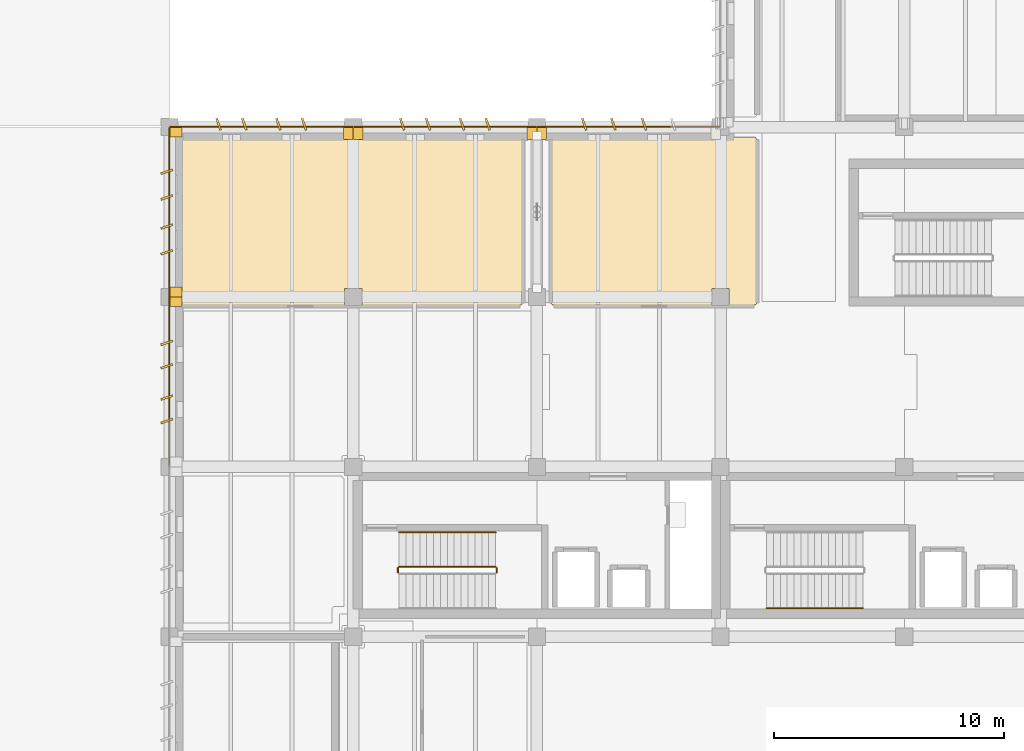
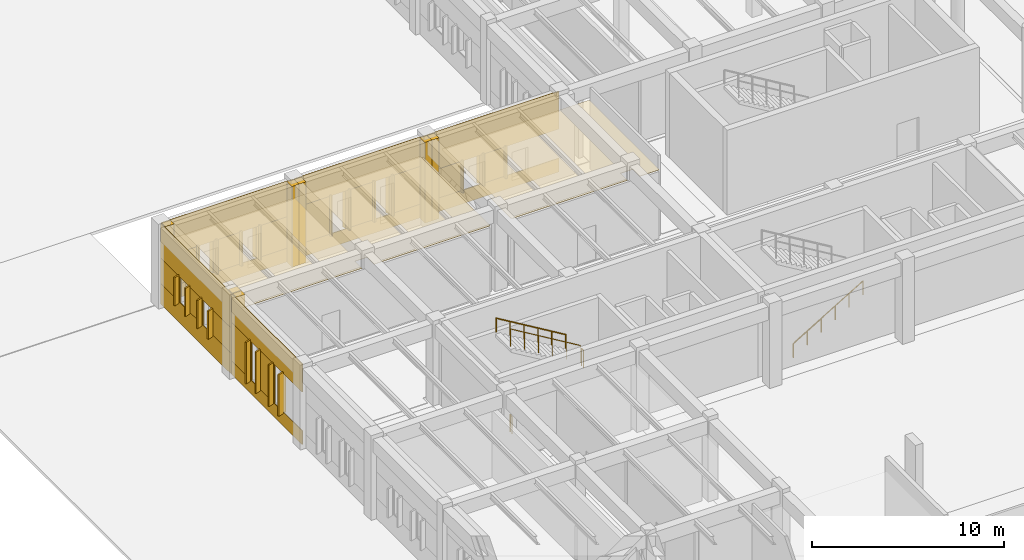
# One storey, part 36 of 56: 51 coverings, 5 railings.
"""IFC4 building model written with IfcOpenShell, lengths in metres."""

from ifc_helpers import new_model, si_unit, direction, frame, frame_2d, origin, origin_2d, place, context, subcontext, project, spatial, polyline, rectangle, circle, outline, extrude, material, layer, layer_set, type_object, element, save


model = new_model("IFC4")

# Units and contexts
model_context = context("Model", 3, precision=1e-05, world=origin(), true_north=direction((0.0, 1.0)))
body_context = subcontext(model_context, "Body", "Model", "MODEL_VIEW")
ifc_project = project(units=[si_unit("LENGTHUNIT", "METRE"), si_unit("AREAUNIT", "SQUARE_METRE"), si_unit("VOLUMEUNIT", "CUBIC_METRE"), si_unit("PLANEANGLEUNIT", "RADIAN"), si_unit("MASSUNIT", "GRAM", prefix="KILO")], contexts=[model_context])

# Site, building, storey
site_placement = place(None, origin())
site = spatial("IfcSite", under=ifc_project, at=site_placement, CompositionType="ELEMENT")
building_placement = place(site_placement, origin())
building = spatial("IfcBuilding", under=site, at=building_placement, Name="Valkorina Park Police Headquarters", CompositionType="ELEMENT")
storey_placement = place(building_placement, origin())
storey = spatial("IfcBuildingStorey", under=building, at=storey_placement, Name="L01", CompositionType="ELEMENT", Elevation=0.0)

# Coverings
ifc_material_1 = material(Name="Acoustic mineral board")
ifc_layer_1 = layer(ifc_material_1, 0.02490234375)
ifc_layer_set_1 = layer_set([ifc_layer_1], Name="Acoustic mineral board")
covering_type_1 = type_object("IfcCoveringType", Name="COV-CEILING-ACOUST", PredefinedType="CEILING", material=ifc_layer_set_1)
covering_1_placement = place(storey_placement, frame((0.0, 0.0, 4.264892578125)))
element("IfcCovering", 1, at=covering_1_placement, inside=storey, type_object=covering_type_1, Name="Watch Commander Duty Suite Acoustic Suspended Ceiling", PredefinedType="CEILING", context=body_context, shape_type="SweptSolid", body=[
    extrude(outline(polyline([(24.158447265625, 51.50439453125), (24.15966796875, 51.51220703125), (24.159912109375, 51.52001953125), (24.159912109375, 58.679931640625), (24.15966796875, 58.687744140625), (24.158447265625, 58.695556640625), (24.156494140625, 58.703125), (24.15380859375, 58.710693359375), (24.150634765625, 58.7177734375), (24.146484375, 58.724365234375), (24.141845703125, 58.730712890625), (24.13671875, 58.736572265625), (24.130859375, 58.74169921875), (24.12451171875, 58.74658203125), (24.11767578125, 58.75048828125), (24.110595703125, 58.75390625), (24.103271484375, 58.756591796875), (24.095703125, 58.758544921875), (24.087890625, 58.759521484375), (24.080078125, 58.760009765625), (9.320068359375, 58.760009765625), (9.312255859375, 58.759521484375), (9.304443359375, 58.758544921875), (9.296875, 58.756591796875), (9.289306640625, 58.75390625), (9.2822265625, 58.75048828125), (9.275634765625, 58.74658203125), (9.269287109375, 58.74169921875), (9.263427734375, 58.736572265625), (9.25830078125, 58.730712890625), (9.25341796875, 58.724365234375), (9.24951171875, 58.7177734375), (9.24609375, 58.710693359375), (9.243408203125, 58.703125), (9.241455078125, 58.695556640625), (9.240478515625, 58.687744140625), (9.239990234375, 58.679931640625), (9.239990234375, 51.52001953125), (9.240478515625, 51.51220703125), (9.241455078125, 51.50439453125), (9.243408203125, 51.496826171875), (9.24609375, 51.489501953125), (9.24951171875, 51.482421875), (9.25341796875, 51.4755859375), (9.25830078125, 51.46923828125), (9.263427734375, 51.46337890625), (9.269287109375, 51.458251953125), (9.275634765625, 51.45361328125), (9.2822265625, 51.449462890625), (9.289306640625, 51.446044921875), (9.296875, 51.443359375), (9.304443359375, 51.44140625), (9.312255859375, 51.4404296875), (9.320068359375, 51.43994140625), (16.385009765625, 51.43994140625), (16.392822265625, 51.4404296875), (16.400634765625, 51.44140625), (16.408203125, 51.443359375), (16.41552734375, 51.446044921875), (16.422607421875, 51.449462890625), (16.425048828125, 51.45068359375), (16.425048828125, 52.175048828125), (17.175048828125, 52.175048828125), (17.175048828125, 51.45068359375), (17.17724609375, 51.449462890625), (17.184326171875, 51.446044921875), (17.19189453125, 51.443359375), (17.199462890625, 51.44140625), (17.207275390625, 51.4404296875), (17.215087890625, 51.43994140625), (24.080078125, 51.43994140625), (24.087890625, 51.4404296875), (24.095703125, 51.44140625), (24.103271484375, 51.443359375), (24.110595703125, 51.446044921875), (24.11767578125, 51.449462890625), (24.12451171875, 51.45361328125), (24.130859375, 51.458251953125), (24.13671875, 51.46337890625), (24.141845703125, 51.46923828125), (24.146484375, 51.4755859375), (24.150634765625, 51.482421875), (24.15380859375, 51.489501953125), (24.156494140625, 51.496826171875), (24.158447265625, 51.50439453125)])), origin(), (0.0, 0.0, 1.0), 0.025146484375),
])
covering_2_placement = place(storey_placement, frame((0.0, 0.0, 4.264892578125)))
element("IfcCovering", 2, at=covering_2_placement, inside=storey, type_object=covering_type_1, Name="Victim and Witness Support Suite Acoustic Suspended Ceiling", PredefinedType="CEILING", context=body_context, shape_type="SweptSolid", body=[
    extrude(outline(polyline([(34.3583984375, 51.50439453125), (34.359619140625, 51.51220703125), (34.360107421875, 51.52001953125), (34.360107421875, 58.679931640625), (34.359619140625, 58.687744140625), (34.3583984375, 58.695556640625), (34.356689453125, 58.703125), (34.35400390625, 58.710693359375), (34.3505859375, 58.7177734375), (34.346435546875, 58.724365234375), (34.341796875, 58.730712890625), (34.336669921875, 58.736572265625), (34.330810546875, 58.74169921875), (34.324462890625, 58.74658203125), (34.317626953125, 58.75048828125), (34.310546875, 58.75390625), (34.30322265625, 58.756591796875), (34.295654296875, 58.758544921875), (34.287841796875, 58.759521484375), (34.280029296875, 58.760009765625), (25.52001953125, 58.760009765625), (25.51220703125, 58.759521484375), (25.50439453125, 58.758544921875), (25.496826171875, 58.756591796875), (25.489501953125, 58.75390625), (25.482421875, 58.75048828125), (25.4755859375, 58.74658203125), (25.46923828125, 58.74169921875), (25.46337890625, 58.736572265625), (25.458251953125, 58.730712890625), (25.45361328125, 58.724365234375), (25.449462890625, 58.7177734375), (25.446044921875, 58.710693359375), (25.443359375, 58.703125), (25.44140625, 58.695556640625), (25.4404296875, 58.687744140625), (25.43994140625, 58.679931640625), (25.43994140625, 51.52001953125), (25.4404296875, 51.51220703125), (25.44140625, 51.50439453125), (25.443359375, 51.496826171875), (25.446044921875, 51.489501953125), (25.449462890625, 51.482421875), (25.45361328125, 51.4755859375), (25.458251953125, 51.46923828125), (25.46337890625, 51.46337890625), (25.46923828125, 51.458251953125), (25.4755859375, 51.45361328125), (25.482421875, 51.449462890625), (25.489501953125, 51.446044921875), (25.496826171875, 51.443359375), (25.50439453125, 51.44140625), (25.51220703125, 51.4404296875), (25.52001953125, 51.43994140625), (32.385009765625, 51.43994140625), (32.392822265625, 51.4404296875), (32.400634765625, 51.44140625), (32.408203125, 51.443359375), (32.41552734375, 51.446044921875), (32.422607421875, 51.449462890625), (32.425048828125, 51.45068359375), (32.425048828125, 52.175048828125), (33.175048828125, 52.175048828125), (33.175048828125, 51.45068359375), (33.17724609375, 51.449462890625), (33.184326171875, 51.446044921875), (33.19189453125, 51.443359375), (33.199462890625, 51.44140625), (33.207275390625, 51.4404296875), (33.215087890625, 51.43994140625), (34.280029296875, 51.43994140625), (34.287841796875, 51.4404296875), (34.295654296875, 51.44140625), (34.30322265625, 51.443359375), (34.310546875, 51.446044921875), (34.317626953125, 51.449462890625), (34.324462890625, 51.45361328125), (34.330810546875, 51.458251953125), (34.336669921875, 51.46337890625), (34.341796875, 51.46923828125), (34.346435546875, 51.4755859375), (34.3505859375, 51.482421875), (34.35400390625, 51.489501953125), (34.356689453125, 51.496826171875), (34.3583984375, 51.50439453125)])), origin(), (0.0, 0.0, 1.0), 0.025146484375),
])
ifc_material_2 = material(Name="Precast concrete C40/50", Category="concrete")
ifc_layer_2 = layer(ifc_material_2, 0.044921875)
ifc_layer_set_2 = layer_set([ifc_layer_2], Name="Precast concrete C40/50")
covering_type_2 = type_object("IfcCoveringType", Name="COV-CLAD-DOLOMITE", PredefinedType="CLADDING", material=ifc_layer_set_2)
covering_3_placement = place(storey_placement, frame((9.090087890625, 51.5849609375, 0.0), z_axis=(0.0, 0.0, 1.0), x_axis=(0.0, 1.0, 0.0)))
element("IfcCovering", 3, at=covering_3_placement, inside=storey, type_object=covering_type_2, Name="L01 Exterior Joint Closure Pilaster B 0067", PredefinedType="CLADDING", context=body_context, shape_type="SweptSolid", body=[
    extrude(rectangle(XDim=0.419921875, YDim=0.52197265625, at=origin_2d()), origin(), (0.0, 0.0, 1.0), 5.139892578125),
])
for number, where, z_axis, x_axis, name in (
    (4, (8.679931640625, 46.396484375, 0.7802734375), (0.0, 0.0, 1.0), (-0.948323655206, -0.317304656405, 0.0), "Slanted 18.5-deg Precast Window Slot Fin 0068"),
    (5, (8.679931640625, 47.41650390625, 0.7802734375), (0.0, 0.0, 1.0), (-0.948323655206, -0.317304656405, 0.0), "Slanted 18.5-deg Precast Window Slot Fin 0069"),
    (6, (8.679931640625, 48.783447265625, 0.7802734375), (0.0, 0.0, 1.0), (-0.948323655206, -0.317304656405, 0.0), "Slanted 18.5-deg Precast Window Slot Fin 0070"),
    (7, (8.679931640625, 49.803466796875, 0.7802734375), (0.0, 0.0, 1.0), (-0.948323655206, -0.317304656405, 0.0), "Slanted 18.5-deg Precast Window Slot Fin 0071"),
):
    element("IfcCovering", number, at=place(storey_placement, frame(where, z_axis=z_axis, x_axis=x_axis)), inside=storey, type_object=covering_type_2, Name=name, PredefinedType="CLADDING", context=body_context, shape_type="SweptSolid", body=[
        extrude(rectangle(XDim=0.5400390625, YDim=0.090087890625, at=origin_2d()), origin(), (0.0, 0.0, 1.0), 2.639892578125),
    ])
covering_4_placement = place(storey_placement, frame((8.784912109375, 44.419921875, 0.0), z_axis=(0.0, 0.0, 1.0), x_axis=(0.0, 1.0, 0.0)))
element("IfcCovering", 8, at=covering_4_placement, inside=storey, type_object=covering_type_2, Name="L01 Calm Concrete Base Sill Spandrel 0072", PredefinedType="CLADDING", context=body_context, shape_type="SweptSolid", body=[
    extrude(rectangle(XDim=7.360107421875, YDim=0.044921875, at=frame_2d((3.68017578125, 0.0))), origin(), (0.0, 0.0, 1.0), 0.8701171875),
])
covering_5_placement = place(storey_placement, frame((8.784912109375, 44.419921875, 3.330078125), z_axis=(0.0, 0.0, 1.0), x_axis=(0.0, 1.0, 0.0)))
element("IfcCovering", 9, at=covering_5_placement, inside=storey, type_object=covering_type_2, Name="L01 Calm Concrete Base Lintel Spandrel 0073", PredefinedType="CLADDING", context=body_context, shape_type="SweptSolid", body=[
    extrude(rectangle(XDim=7.360107421875, YDim=0.044921875, at=frame_2d((3.68017578125, 0.0))), origin(), (0.0, 0.0, 1.0), 1.809814453125),
])
covering_6_placement = place(storey_placement, frame((8.784912109375, 47.306640625, 0.8701171875), z_axis=(0.0, 0.0, 1.0), x_axis=(0.0, 1.0, 0.0)))
element("IfcCovering", 10, at=covering_6_placement, inside=storey, type_object=covering_type_2, Name="L01 Calm Concrete Base Slot Pier 0075", PredefinedType="CLADDING", context=body_context, shape_type="SweptSolid", body=[
    extrude(rectangle(XDim=1.586669921875, YDim=0.044921875, at=frame_2d((0.79345703125, 0.0))), origin(), (0.0, 0.0, 1.0), 2.4599609375),
])
covering_7_placement = place(storey_placement, frame((8.784912109375, 49.693359375, 0.8701171875), z_axis=(0.0, 0.0, 1.0), x_axis=(0.0, 1.0, 0.0)))
element("IfcCovering", 11, at=covering_7_placement, inside=storey, type_object=covering_type_2, Name="L01 Calm Concrete Base Slot Pier 0076", PredefinedType="CLADDING", context=body_context, shape_type="SweptSolid", body=[
    extrude(rectangle(XDim=2.086669921875, YDim=0.044921875, at=frame_2d((1.04345703125, 0.0))), origin(), (0.0, 0.0, 1.0), 2.4599609375),
])
for number, where, z_axis, x_axis, name in (
    (12, (9.090087890625, 52.014892578125, 0.0), (0.0, 0.0, 1.0), (0.0, 1.0, 0.0), "L01 Exterior Joint Closure Pilaster A 0077"),
    (13, (9.090087890625, 58.985107421875, 0.0), (0.0, 0.0, 1.0), (0.0, 1.0, 0.0), "L01 Exterior Joint Closure Pilaster B 0078"),
):
    element("IfcCovering", number, at=place(storey_placement, frame(where, z_axis=z_axis, x_axis=x_axis)), inside=storey, type_object=covering_type_2, Name=name, PredefinedType="CLADDING", context=body_context, shape_type="SweptSolid", body=[
        extrude(rectangle(XDim=0.419921875, YDim=0.52197265625, at=origin_2d()), origin(), (0.0, 0.0, 1.0), 5.139892578125),
    ])
for number, where, z_axis, x_axis, name in (
    (14, (8.679931640625, 53.74658203125, 1.22998046875), (0.0, 0.0, 1.0), (-0.948323655206, -0.317304656405, 0.0), "Slanted 18.5-deg Precast Window Slot Fin 0079"),
    (15, (8.679931640625, 54.86669921875, 1.22998046875), (0.0, 0.0, 1.0), (-0.948323655206, -0.317304656405, 0.0), "Slanted 18.5-deg Precast Window Slot Fin 0080"),
    (16, (8.679931640625, 56.13330078125, 1.22998046875), (0.0, 0.0, 1.0), (-0.948323655206, -0.317304656405, 0.0), "Slanted 18.5-deg Precast Window Slot Fin 0081"),
    (17, (8.679931640625, 57.25341796875, 1.22998046875), (0.0, 0.0, 1.0), (-0.948323655206, -0.317304656405, 0.0), "Slanted 18.5-deg Precast Window Slot Fin 0082"),
):
    element("IfcCovering", number, at=place(storey_placement, frame(where, z_axis=z_axis, x_axis=x_axis)), inside=storey, type_object=covering_type_2, Name=name, PredefinedType="CLADDING", context=body_context, shape_type="SweptSolid", body=[
        extrude(rectangle(XDim=0.5400390625, YDim=0.090087890625, at=origin_2d()), origin(), (0.0, 0.0, 1.0), 1.7900390625),
    ])
covering_8_placement = place(storey_placement, frame((8.784912109375, 51.820068359375, 0.0), z_axis=(0.0, 0.0, 1.0), x_axis=(0.0, 1.0, 0.0)))
element("IfcCovering", 18, at=covering_8_placement, inside=storey, type_object=covering_type_2, Name="L01 Calm Concrete Base Sill Spandrel 0083", PredefinedType="CLADDING", context=body_context, shape_type="SweptSolid", body=[
    extrude(rectangle(XDim=7.35986328125, YDim=0.044921875, at=frame_2d((3.679931640625, 0.0))), origin(), (0.0, 0.0, 1.0), 1.320068359375),
])
covering_9_placement = place(storey_placement, frame((8.784912109375, 51.820068359375, 2.929931640625), z_axis=(0.0, 0.0, 1.0), x_axis=(0.0, 1.0, 0.0)))
element("IfcCovering", 19, at=covering_9_placement, inside=storey, type_object=covering_type_2, Name="L01 Calm Concrete Base Lintel Spandrel 0084", PredefinedType="CLADDING", context=body_context, shape_type="SweptSolid", body=[
    extrude(rectangle(XDim=7.35986328125, YDim=0.044921875, at=frame_2d((3.679931640625, 0.0))), origin(), (0.0, 0.0, 1.0), 2.2099609375),
])
covering_10_placement = place(storey_placement, frame((8.784912109375, 51.820068359375, 1.320068359375), z_axis=(0.0, 0.0, 1.0), x_axis=(0.0, 1.0, 0.0)))
element("IfcCovering", 20, at=covering_10_placement, inside=storey, type_object=covering_type_2, Name="L01 Calm Concrete Base Slot Pier 0085", PredefinedType="CLADDING", context=body_context, shape_type="SweptSolid", body=[
    extrude(rectangle(XDim=2.03662109375, YDim=0.044921875, at=frame_2d((1.018310546875, 0.0))), origin(), (0.0, 0.0, 1.0), 1.60986328125),
])
covering_11_placement = place(storey_placement, frame((8.784912109375, 54.756591796875, 1.320068359375), z_axis=(0.0, 0.0, 1.0), x_axis=(0.0, 1.0, 0.0)))
element("IfcCovering", 21, at=covering_11_placement, inside=storey, type_object=covering_type_2, Name="L01 Calm Concrete Base Slot Pier 0086", PredefinedType="CLADDING", context=body_context, shape_type="SweptSolid", body=[
    extrude(rectangle(XDim=1.48681640625, YDim=0.044921875, at=frame_2d((0.743408203125, 0.0))), origin(), (0.0, 0.0, 1.0), 1.60986328125),
])
covering_12_placement = place(storey_placement, frame((8.784912109375, 57.143310546875, 1.320068359375), z_axis=(0.0, 0.0, 1.0), x_axis=(0.0, 1.0, 0.0)))
element("IfcCovering", 22, at=covering_12_placement, inside=storey, type_object=covering_type_2, Name="L01 Calm Concrete Base Slot Pier 0087", PredefinedType="CLADDING", context=body_context, shape_type="SweptSolid", body=[
    extrude(rectangle(XDim=2.03662109375, YDim=0.044921875, at=frame_2d((1.018310546875, 0.0))), origin(), (0.0, 0.0, 1.0), 1.60986328125),
])
covering_13_placement = place(storey_placement, frame((16.5849609375, 58.909912109375, 0.0), z_axis=(0.0, 0.0, 1.0), x_axis=(1.0, 0.0, 0.0)))
element("IfcCovering", 23, at=covering_13_placement, inside=storey, type_object=covering_type_2, Name="L01 Exterior Joint Closure Pilaster B 0088", PredefinedType="CLADDING", context=body_context, shape_type="SweptSolid", body=[
    extrude(rectangle(XDim=0.419921875, YDim=0.52197265625, at=origin_2d()), origin(), (0.0, 0.0, 1.0), 5.139892578125),
])
for number, where, z_axis, x_axis, name in (
    (24, (10.938720703125, 59.320068359375, 0.780029296875), (0.0, 0.0, 1.0), (-0.317304656405, 0.948323655206, 0.0), "Slanted 18.5-deg Precast Window Slot Fin 0089"),
    (25, (12.05859375, 59.320068359375, 0.780029296875), (0.0, 0.0, 1.0), (-0.317304656405, 0.948323655206, 0.0), "Slanted 18.5-deg Precast Window Slot Fin 0090"),
    (26, (13.54150390625, 59.320068359375, 0.780029296875), (0.0, 0.0, 1.0), (-0.317304656405, 0.948323655206, 0.0), "Slanted 18.5-deg Precast Window Slot Fin 0091"),
    (27, (14.661376953125, 59.320068359375, 0.780029296875), (0.0, 0.0, 1.0), (-0.317304656405, 0.948323655206, 0.0), "Slanted 18.5-deg Precast Window Slot Fin 0092"),
):
    element("IfcCovering", number, at=place(storey_placement, frame(where, z_axis=z_axis, x_axis=x_axis)), inside=storey, type_object=covering_type_2, Name=name, PredefinedType="CLADDING", context=body_context, shape_type="SweptSolid", body=[
        extrude(rectangle(XDim=0.5400390625, YDim=0.090087890625, at=origin_2d()), origin(), (0.0, 0.0, 1.0), 2.18994140625),
    ])
covering_14_placement = place(storey_placement, frame((8.820068359375, 59.215087890625, 0.0), z_axis=(0.0, 0.0, 1.0), x_axis=(1.0, 0.0, 0.0)))
element("IfcCovering", 28, at=covering_14_placement, inside=storey, type_object=covering_type_2, Name="L01 Calm Concrete Base Sill Spandrel 0093", PredefinedType="CLADDING", context=body_context, shape_type="SweptSolid", body=[
    extrude(rectangle(XDim=7.9599609375, YDim=0.044921875, at=frame_2d((3.97998046875, 0.0))), origin(), (0.0, 0.0, 1.0), 0.8701171875),
])
covering_15_placement = place(storey_placement, frame((8.820068359375, 59.215087890625, 2.8798828125), z_axis=(0.0, 0.0, 1.0), x_axis=(1.0, 0.0, 0.0)))
element("IfcCovering", 29, at=covering_15_placement, inside=storey, type_object=covering_type_2, Name="L01 Calm Concrete Base Lintel Spandrel 0094", PredefinedType="CLADDING", context=body_context, shape_type="SweptSolid", body=[
    extrude(rectangle(XDim=7.9599609375, YDim=0.044921875, at=frame_2d((3.97998046875, 0.0))), origin(), (0.0, 0.0, 1.0), 2.260009765625),
])
covering_16_placement = place(storey_placement, frame((8.820068359375, 59.215087890625, 0.8701171875), z_axis=(0.0, 0.0, 1.0), x_axis=(1.0, 0.0, 0.0)))
element("IfcCovering", 30, at=covering_16_placement, inside=storey, type_object=covering_type_2, Name="L01 Calm Concrete Base Slot Pier 0095", PredefinedType="CLADDING", context=body_context, shape_type="SweptSolid", body=[
    extrude(rectangle(XDim=2.228515625, YDim=0.044921875, at=frame_2d((1.1142578125, 0.0))), origin(), (0.0, 0.0, 1.0), 2.009765625),
])
covering_17_placement = place(storey_placement, frame((11.948486328125, 59.215087890625, 0.8701171875), z_axis=(0.0, 0.0, 1.0), x_axis=(1.0, 0.0, 0.0)))
element("IfcCovering", 31, at=covering_17_placement, inside=storey, type_object=covering_type_2, Name="L01 Calm Concrete Base Slot Pier 0096", PredefinedType="CLADDING", context=body_context, shape_type="SweptSolid", body=[
    extrude(rectangle(XDim=1.702880859375, YDim=0.044921875, at=frame_2d((0.8515625, 0.0))), origin(), (0.0, 0.0, 1.0), 2.009765625),
])
covering_18_placement = place(storey_placement, frame((14.551513671875, 59.215087890625, 0.8701171875), z_axis=(0.0, 0.0, 1.0), x_axis=(1.0, 0.0, 0.0)))
element("IfcCovering", 32, at=covering_18_placement, inside=storey, type_object=covering_type_2, Name="L01 Calm Concrete Base Slot Pier 0097", PredefinedType="CLADDING", context=body_context, shape_type="SweptSolid", body=[
    extrude(rectangle(XDim=2.228515625, YDim=0.044921875, at=frame_2d((1.1142578125, 0.0))), origin(), (0.0, 0.0, 1.0), 2.009765625),
])
for number, where, z_axis, x_axis, name in (
    (33, (17.014892578125, 58.909912109375, 0.0), (0.0, 0.0, 1.0), (1.0, 0.0, 0.0), "L01 Exterior Joint Closure Pilaster A 0098"),
    (34, (24.5849609375, 58.909912109375, 0.0), (0.0, 0.0, 1.0), (1.0, 0.0, 0.0), "L01 Exterior Joint Closure Pilaster B 0099"),
):
    element("IfcCovering", number, at=place(storey_placement, frame(where, z_axis=z_axis, x_axis=x_axis)), inside=storey, type_object=covering_type_2, Name=name, PredefinedType="CLADDING", context=body_context, shape_type="SweptSolid", body=[
        extrude(rectangle(XDim=0.419921875, YDim=0.52197265625, at=origin_2d()), origin(), (0.0, 0.0, 1.0), 5.139892578125),
    ])
for number, where, z_axis, x_axis, name in (
    (35, (18.938720703125, 59.320068359375, 0.77978515625), (0.0, 0.0, 1.0), (-0.317304656405, 0.948323655206, 0.0), "Slanted 18.5-deg Precast Window Slot Fin 0100"),
    (36, (20.05859375, 59.320068359375, 0.77978515625), (0.0, 0.0, 1.0), (-0.317304656405, 0.948323655206, 0.0), "Slanted 18.5-deg Precast Window Slot Fin 0101"),
    (37, (21.54150390625, 59.320068359375, 0.77978515625), (0.0, 0.0, 1.0), (-0.317304656405, 0.948323655206, 0.0), "Slanted 18.5-deg Precast Window Slot Fin 0102"),
    (38, (22.661376953125, 59.320068359375, 0.77978515625), (0.0, 0.0, 1.0), (-0.317304656405, 0.948323655206, 0.0), "Slanted 18.5-deg Precast Window Slot Fin 0103"),
):
    element("IfcCovering", number, at=place(storey_placement, frame(where, z_axis=z_axis, x_axis=x_axis)), inside=storey, type_object=covering_type_2, Name=name, PredefinedType="CLADDING", context=body_context, shape_type="SweptSolid", body=[
        extrude(rectangle(XDim=0.5400390625, YDim=0.090087890625, at=origin_2d()), origin(), (0.0, 0.0, 1.0), 2.590087890625),
    ])
covering_19_placement = place(storey_placement, frame((16.820068359375, 59.215087890625, 0.0), z_axis=(0.0, 0.0, 1.0), x_axis=(1.0, 0.0, 0.0)))
element("IfcCovering", 39, at=covering_19_placement, inside=storey, type_object=covering_type_2, Name="L01 Calm Concrete Base Sill Spandrel 0104", PredefinedType="CLADDING", context=body_context, shape_type="SweptSolid", body=[
    extrude(rectangle(XDim=7.9599609375, YDim=0.044921875, at=frame_2d((3.97998046875, 0.0))), origin(), (0.0, 0.0, 1.0), 0.8701171875),
])
covering_20_placement = place(storey_placement, frame((16.820068359375, 59.215087890625, 3.280029296875), z_axis=(0.0, 0.0, 1.0), x_axis=(1.0, 0.0, 0.0)))
element("IfcCovering", 40, at=covering_20_placement, inside=storey, type_object=covering_type_2, Name="L01 Calm Concrete Base Lintel Spandrel 0105", PredefinedType="CLADDING", context=body_context, shape_type="SweptSolid", body=[
    extrude(rectangle(XDim=7.9599609375, YDim=0.044921875, at=frame_2d((3.97998046875, 0.0))), origin(), (0.0, 0.0, 1.0), 1.85986328125),
])
covering_21_placement = place(storey_placement, frame((16.820068359375, 59.215087890625, 0.8701171875), z_axis=(0.0, 0.0, 1.0), x_axis=(1.0, 0.0, 0.0)))
element("IfcCovering", 41, at=covering_21_placement, inside=storey, type_object=covering_type_2, Name="L01 Calm Concrete Base Slot Pier 0106", PredefinedType="CLADDING", context=body_context, shape_type="SweptSolid", body=[
    extrude(rectangle(XDim=2.228515625, YDim=0.044921875, at=frame_2d((1.1142578125, 0.0))), origin(), (0.0, 0.0, 1.0), 2.409912109375),
])
covering_22_placement = place(storey_placement, frame((19.948486328125, 59.215087890625, 0.8701171875), z_axis=(0.0, 0.0, 1.0), x_axis=(1.0, 0.0, 0.0)))
element("IfcCovering", 42, at=covering_22_placement, inside=storey, type_object=covering_type_2, Name="L01 Calm Concrete Base Slot Pier 0107", PredefinedType="CLADDING", context=body_context, shape_type="SweptSolid", body=[
    extrude(rectangle(XDim=1.702880859375, YDim=0.044921875, at=frame_2d((0.8515625, 0.0))), origin(), (0.0, 0.0, 1.0), 2.409912109375),
])
covering_23_placement = place(storey_placement, frame((22.551513671875, 59.215087890625, 0.8701171875), z_axis=(0.0, 0.0, 1.0), x_axis=(1.0, 0.0, 0.0)))
element("IfcCovering", 43, at=covering_23_placement, inside=storey, type_object=covering_type_2, Name="L01 Calm Concrete Base Slot Pier 0108", PredefinedType="CLADDING", context=body_context, shape_type="SweptSolid", body=[
    extrude(rectangle(XDim=2.228515625, YDim=0.044921875, at=frame_2d((1.1142578125, 0.0))), origin(), (0.0, 0.0, 1.0), 2.409912109375),
])
covering_24_placement = place(storey_placement, frame((25.014892578125, 58.909912109375, 0.0), z_axis=(0.0, 0.0, 1.0), x_axis=(1.0, 0.0, 0.0)))
element("IfcCovering", 44, at=covering_24_placement, inside=storey, type_object=covering_type_2, Name="L01 Exterior Joint Closure Pilaster A 0109", PredefinedType="CLADDING", context=body_context, shape_type="SweptSolid", body=[
    extrude(rectangle(XDim=0.419921875, YDim=0.52197265625, at=origin_2d()), origin(), (0.0, 0.0, 1.0), 5.139892578125),
])
for number, where, z_axis, x_axis, name in (
    (45, (26.863525390625, 59.320068359375, 0.780029296875), (0.0, 0.0, 1.0), (-0.317304656405, 0.948323655206, 0.0), "Slanted 18.5-deg Precast Window Slot Fin 0111"),
    (46, (28.133544921875, 59.320068359375, 0.780029296875), (0.0, 0.0, 1.0), (-0.317304656405, 0.948323655206, 0.0), "Slanted 18.5-deg Precast Window Slot Fin 0112"),
    (47, (29.46630859375, 59.320068359375, 0.780029296875), (0.0, 0.0, 1.0), (-0.317304656405, 0.948323655206, 0.0), "Slanted 18.5-deg Precast Window Slot Fin 0113"),
):
    element("IfcCovering", number, at=place(storey_placement, frame(where, z_axis=z_axis, x_axis=x_axis)), inside=storey, type_object=covering_type_2, Name=name, PredefinedType="CLADDING", context=body_context, shape_type="SweptSolid", body=[
        extrude(rectangle(XDim=0.5400390625, YDim=0.090087890625, at=origin_2d()), origin(), (0.0, 0.0, 1.0), 2.0400390625),
    ])
covering_25_placement = place(storey_placement, frame((24.820068359375, 59.215087890625, 0.0), z_axis=(0.0, 0.0, 1.0), x_axis=(1.0, 0.0, 0.0)))
element("IfcCovering", 48, at=covering_25_placement, inside=storey, type_object=covering_type_2, Name="L01 Calm Concrete Base Sill Spandrel 0115", PredefinedType="CLADDING", context=body_context, shape_type="SweptSolid", body=[
    extrude(rectangle(XDim=7.9599609375, YDim=0.044921875, at=frame_2d((3.97998046875, 0.0))), origin(), (0.0, 0.0, 1.0), 0.8701171875),
])
covering_26_placement = place(storey_placement, frame((24.820068359375, 59.215087890625, 2.72998046875), z_axis=(0.0, 0.0, 1.0), x_axis=(1.0, 0.0, 0.0)))
element("IfcCovering", 49, at=covering_26_placement, inside=storey, type_object=covering_type_2, Name="L01 Calm Concrete Base Lintel Spandrel 0116", PredefinedType="CLADDING", context=body_context, shape_type="SweptSolid", body=[
    extrude(rectangle(XDim=7.9599609375, YDim=0.044921875, at=frame_2d((3.97998046875, 0.0))), origin(), (0.0, 0.0, 1.0), 2.409912109375),
])
covering_27_placement = place(storey_placement, frame((24.820068359375, 59.215087890625, 0.8701171875), z_axis=(0.0, 0.0, 1.0), x_axis=(1.0, 0.0, 0.0)))
element("IfcCovering", 50, at=covering_27_placement, inside=storey, type_object=covering_type_2, Name="L01 Calm Concrete Base Slot Pier 0117", PredefinedType="CLADDING", context=body_context, shape_type="SweptSolid", body=[
    extrude(rectangle(XDim=2.153564453125, YDim=0.044921875, at=frame_2d((1.07666015625, 0.0))), origin(), (0.0, 0.0, 1.0), 1.85986328125),
])
covering_28_placement = place(storey_placement, frame((28.023681640625, 59.215087890625, 0.8701171875), z_axis=(0.0, 0.0, 1.0), x_axis=(1.0, 0.0, 0.0)))
element("IfcCovering", 51, at=covering_28_placement, inside=storey, type_object=covering_type_2, Name="L01 Calm Concrete Base Slot Pier 0118", PredefinedType="CLADDING", context=body_context, shape_type="SweptSolid", body=[
    extrude(rectangle(XDim=1.552734375, YDim=0.044921875, at=frame_2d((0.7763671875, 0.0))), origin(), (0.0, 0.0, 1.0), 1.85986328125),
])

# Railings
ifc_material_3 = material(Name="Stainless steel EN 1.4404", Category="steel")
railing_type_1 = type_object("IfcRailingType", Name="RL-GUARD-INT-1100", PredefinedType="BALUSTRADE", material=ifc_material_3)
railing_1_placement = place(storey_placement, frame((23.050048828125, 39.800048828125, 2.699951171875)))
element("IfcRailing", 52, at=railing_1_placement, inside=storey, type_object=railing_type_1, Name="L01 Core C1 Stair Guard 2", PredefinedType="BALUSTRADE", context=body_context, shape_type="SweptSolid", body=[
    extrude(circle(Radius=0.02392578125, at=origin_2d()), frame((0.0, 0.0, 1.09619140625), z_axis=(0.0, 1.0, 0.0), x_axis=(-1.0, 0.0, 0.0)), (0.0, 0.0, 1.0), 0.199951171875),
    extrude(circle(Radius=0.02099609375, at=origin_2d()), origin(), (0.0, 0.0, 1.0), 1.072021484375),
    extrude(circle(Radius=0.02099609375, at=origin_2d()), frame((0.0, 0.199951171875, 0.0)), (0.0, 0.0, 1.0), 1.072021484375),
])
railing_2_placement = place(storey_placement, frame((23.0, 40.050048828125, 2.8798828125)))
element("IfcRailing", 53, at=railing_2_placement, inside=storey, type_object=railing_type_1, Name="L01 Core C1 Stair Guard 3", PredefinedType="BALUSTRADE", context=body_context, shape_type="SweptSolid", body=[
    extrude(circle(Radius=0.02392578125, at=origin_2d()), frame((0.0, 0.0, 1.09619140625), z_axis=(-0.857488527567, 0.0, 0.514503085598), x_axis=(0.0, -1.0, 0.0)), (0.0, 0.0, 1.0), 4.89794921875),
    extrude(circle(Radius=0.02099609375, at=origin_2d()), origin(), (0.0, 0.0, 1.0), 1.072021484375),
    extrude(circle(Radius=0.02099609375, at=origin_2d()), frame((-0.840087890625, 0.0, 0.50390625)), (0.0, 0.0, 1.0), 1.072021484375),
    extrude(circle(Radius=0.02099609375, at=origin_2d()), frame((-1.679931640625, 0.0, 1.008056640625)), (0.0, 0.0, 1.0), 1.072021484375),
    extrude(circle(Radius=0.02099609375, at=origin_2d()), frame((-2.52001953125, 0.0, 1.511962890625)), (0.0, 0.0, 1.0), 1.072021484375),
    extrude(circle(Radius=0.02099609375, at=origin_2d()), frame((-3.35986328125, 0.0, 2.01611328125)), (0.0, 0.0, 1.0), 1.072021484375),
    extrude(circle(Radius=0.02099609375, at=origin_2d()), frame((-4.199951171875, 0.0, 2.52001953125)), (0.0, 0.0, 1.0), 1.072021484375),
])
railing_3_placement = place(storey_placement, frame((18.75, 39.800048828125, 0.0)))
element("IfcRailing", 54, at=railing_3_placement, inside=storey, type_object=railing_type_1, Name="L01 Core C1 Stair Guard 4", PredefinedType="BALUSTRADE", context=body_context, shape_type="SweptSolid", body=[
    extrude(circle(Radius=0.02392578125, at=origin_2d()), frame((0.0, 0.0, 1.09619140625), z_axis=(0.0, 1.0, 0.0), x_axis=(-1.0, 0.0, 0.0)), (0.0, 0.0, 1.0), 0.199951171875),
    extrude(circle(Radius=0.02099609375, at=origin_2d()), origin(), (0.0, 0.0, 1.0), 1.072021484375),
    extrude(circle(Radius=0.02099609375, at=origin_2d()), frame((0.0, 0.199951171875, 0.0)), (0.0, 0.0, 1.0), 1.072021484375),
])
railing_type_2 = type_object("IfcRailingType", Name="RL-HANDRAIL-900", PredefinedType="HANDRAIL", material=ifc_material_3)
railing_4_placement = place(storey_placement, frame((23.0, 41.550048828125, 2.8798828125)))
element("IfcRailing", 55, at=railing_4_placement, inside=storey, type_object=railing_type_2, Name="L01 Core C1 Stair Handrail 2", PredefinedType="HANDRAIL", context=body_context, shape_type="SweptSolid", body=[
    extrude(circle(Radius=0.02392578125, at=origin_2d()), frame((0.0, 0.0, 0.8759765625), z_axis=(-0.857488527567, 0.0, 0.514503085598), x_axis=(0.0, -1.0, 0.0)), (0.0, 0.0, 1.0), 4.89794921875),
    extrude(circle(Radius=0.02099609375, at=origin_2d()), origin(), (0.0, 0.0, 1.0), 0.851806640625),
    extrude(circle(Radius=0.02099609375, at=origin_2d()), frame((-0.840087890625, 0.0, 0.50390625)), (0.0, 0.0, 1.0), 0.851806640625),
    extrude(circle(Radius=0.02099609375, at=origin_2d()), frame((-1.679931640625, 0.0, 1.008056640625)), (0.0, 0.0, 1.0), 0.851806640625),
    extrude(circle(Radius=0.02099609375, at=origin_2d()), frame((-2.52001953125, 0.0, 1.511962890625)), (0.0, 0.0, 1.0), 0.851806640625),
    extrude(circle(Radius=0.02099609375, at=origin_2d()), frame((-3.35986328125, 0.0, 2.01611328125)), (0.0, 0.0, 1.0), 0.851806640625),
    extrude(circle(Radius=0.02099609375, at=origin_2d()), frame((-4.199951171875, 0.0, 2.52001953125)), (0.0, 0.0, 1.0), 0.851806640625),
])
railing_5_placement = place(storey_placement, frame((34.800048828125, 38.25, 0.179931640625)))
element("IfcRailing", 56, at=railing_5_placement, inside=storey, type_object=railing_type_2, Name="L01 Core C2 Stair Handrail 1", PredefinedType="HANDRAIL", context=body_context, shape_type="SweptSolid", body=[
    extrude(circle(Radius=0.02392578125, at=origin_2d()), frame((0.0, 0.0, 0.8759765625), z_axis=(0.857488527567, 0.0, 0.514503085598), x_axis=(0.0, 1.0, 0.0)), (0.0, 0.0, 1.0), 4.89794921875),
    extrude(circle(Radius=0.02099609375, at=origin_2d()), origin(), (0.0, 0.0, 1.0), 0.851806640625),
    extrude(circle(Radius=0.02099609375, at=origin_2d()), frame((0.840087890625, 0.0, 0.50390625)), (0.0, 0.0, 1.0), 0.851806640625),
    extrude(circle(Radius=0.02099609375, at=origin_2d()), frame((1.679931640625, 0.0, 1.008056640625)), (0.0, 0.0, 1.0), 0.851806640625),
    extrude(circle(Radius=0.02099609375, at=origin_2d()), frame((2.52001953125, 0.0, 1.511962890625)), (0.0, 0.0, 1.0), 0.851806640625),
    extrude(circle(Radius=0.02099609375, at=origin_2d()), frame((3.35986328125, 0.0, 2.01611328125)), (0.0, 0.0, 1.0), 0.851806640625),
    extrude(circle(Radius=0.02099609375, at=origin_2d()), frame((4.199951171875, 0.0, 2.52001953125)), (0.0, 0.0, 1.0), 0.851806640625),
])

save(model, "model.ifc")
